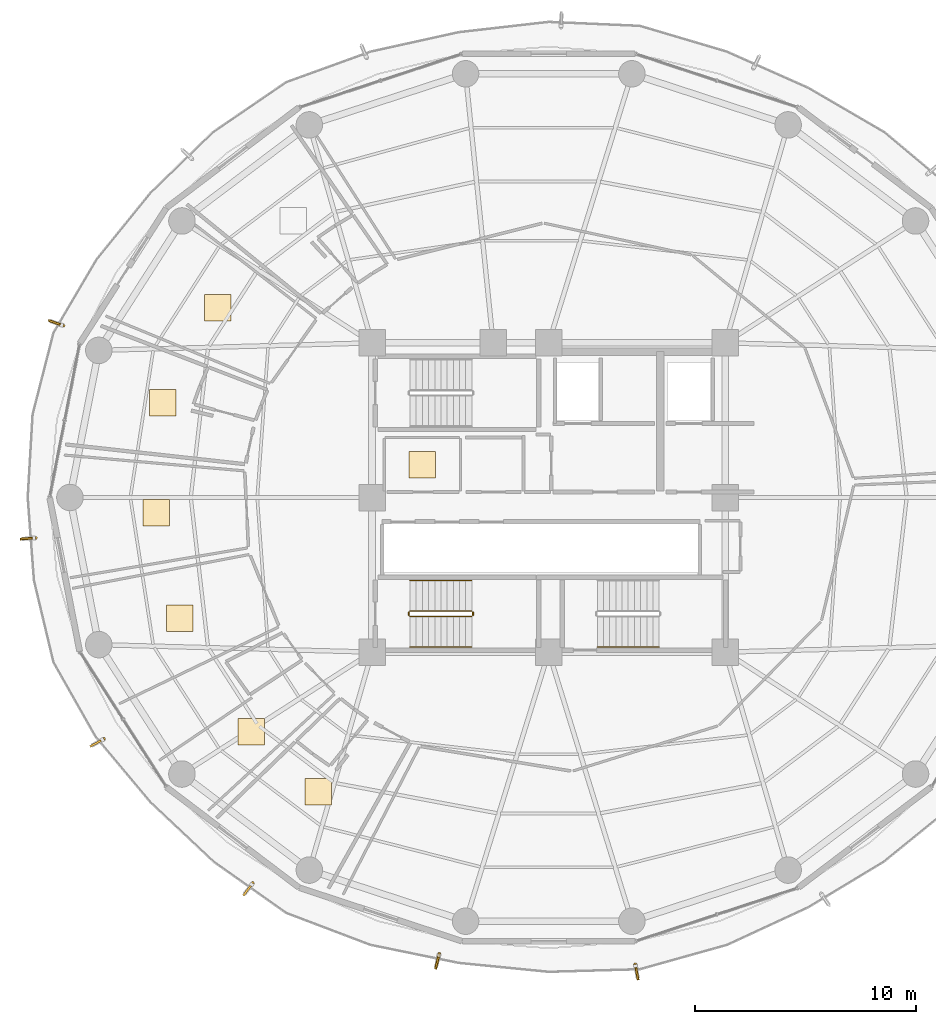
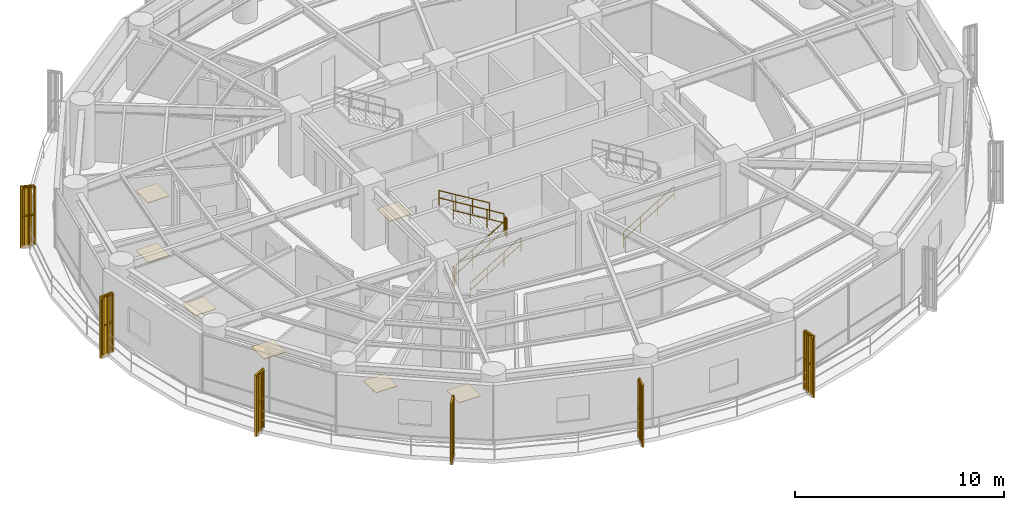
# One storey, part 25 of 27: 13 railings, 7 coverings, 6 shading devices.
"""IFC4 building model written with IfcOpenShell, lengths in metres."""

from ifc_helpers import new_model, si_unit, direction, frame, origin, origin_2d, place, context, subcontext, project, spatial, polyline, rectangle, outline, extrude, source, transform, mapped, material, layer, layer_set, type_object, element, save


model = new_model("IFC4")

# Units and contexts
model_context = context("Model", 3, precision=1e-05, world=origin(), true_north=direction((0.0, 1.0)))
body_context = subcontext(model_context, "Body", "Model", "MODEL_VIEW")
ifc_project = project(units=[si_unit("LENGTHUNIT", "METRE"), si_unit("AREAUNIT", "SQUARE_METRE"), si_unit("VOLUMEUNIT", "CUBIC_METRE"), si_unit("PLANEANGLEUNIT", "RADIAN"), si_unit("MASSUNIT", "GRAM", prefix="KILO")], contexts=[model_context])

# Site, building, storey
site_placement = place(None, origin())
site = spatial("IfcSite", under=ifc_project, at=site_placement, CompositionType="ELEMENT")
building_placement = place(site_placement, origin())
building = spatial("IfcBuilding", under=site, at=building_placement, Name="Kelanora Arch Commons", CompositionType="ELEMENT")
storey_placement = place(building_placement, frame((0.0, 0.0, 165.60009765625)))
storey = spatial("IfcBuildingStorey", under=building, at=storey_placement, Name="L42", CompositionType="ELEMENT", Elevation=165.60009765625)

# Railings
ifc_material_1 = material(Name="Anodised bronze vertical shading fin rib assembly")
railing_type_1 = type_object("IfcRailingType", Name="RAIL-FIN-BRZ", PredefinedType="BALUSTRADE", material=ifc_material_1)
railing_1_placement = place(storey_placement, frame((52.017578125, 65.783935546875, -0.02001953125)))
element("IfcRailing", 1, at=railing_1_placement, inside=storey, type_object=railing_type_1, Name="Sweeping Bronze Vertical Fin Blade L42-07", PredefinedType="BALUSTRADE", context=body_context, shape_type="SweptSolid", body=[
    extrude(outline(polyline([(0.06982421875, 0.0), (0.034912109375, 0.060546875), (-0.034912109375, 0.060546875), (-0.06982421875, 0.0), (-0.034912109375, -0.060546875), (0.034912109375, -0.060546875), (0.06982421875, 0.0)])), frame((0.0, 0.0, 3.419921875), z_axis=(-0.942683092033, 0.333689358527, 0.0), x_axis=(-0.333689358527, -0.942683092033, 0.0)), (0.0, 0.0, 1.0), 0.57275390625),
    extrude(outline(polyline([(0.06982421875, 0.0), (0.034912109375, 0.060546875), (-0.034912109375, 0.060546875), (-0.06982421875, 0.0), (-0.034912109375, -0.060546875), (0.034912109375, -0.060546875), (0.06982421875, 0.0)])), frame((0.0, 0.0, 1.7451171875), z_axis=(-0.942683092033, 0.333689358527, 0.0), x_axis=(-0.333689358527, -0.942683092033, 0.0)), (0.0, 0.0, 1.0), 0.57275390625),
    extrude(outline(polyline([(0.080078125, 0.0), (0.0400390625, 0.0693359375), (-0.0400390625, 0.0693359375), (-0.080078125, 0.0), (-0.0400390625, -0.0693359375), (0.0400390625, -0.0693359375), (0.080078125, 0.0)])), origin(), (0.0, 0.0, 1.0), 3.35009765625),
    extrude(outline(polyline([(0.080078125, 0.0), (0.0400390625, 0.0693359375), (-0.0400390625, 0.0693359375), (-0.080078125, 0.0), (-0.0400390625, -0.0693359375), (0.0400390625, -0.0693359375), (0.080078125, 0.0)])), frame((-0.27001953125, 0.095703125, 0.0)), (0.0, 0.0, 1.0), 3.35009765625),
    extrude(outline(polyline([(0.080078125, 0.0), (0.0400390625, 0.0693359375), (-0.0400390625, 0.0693359375), (-0.080078125, 0.0), (-0.0400390625, -0.0693359375), (0.0400390625, -0.0693359375), (0.080078125, 0.0)])), frame((-0.5400390625, 0.191162109375, 0.0)), (0.0, 0.0, 1.0), 3.35009765625),
])
railing_2_placement = place(storey_placement, frame((50.76806640625, 56.171142578125, -0.02001953125)))
element("IfcRailing", 2, at=railing_2_placement, inside=storey, type_object=railing_type_1, Name="Sweeping Bronze Vertical Fin Blade L42-08", PredefinedType="BALUSTRADE", context=body_context, shape_type="SweptSolid", body=[
    extrude(outline(polyline([(0.06982421875, 0.0), (0.034912109375, 0.060546875), (-0.034912109375, 0.060546875), (-0.06982421875, 0.0), (-0.034912109375, -0.060546875), (0.034912109375, -0.060546875), (0.06982421875, 0.0)])), frame((0.0, 0.0, 3.419921875), z_axis=(-0.996920109862, -0.078423813687, 0.0), x_axis=(0.078423813687, -0.996920109862, 0.0)), (0.0, 0.0, 1.0), 0.57275390625),
    extrude(outline(polyline([(0.06982421875, 0.0), (0.034912109375, 0.060546875), (-0.034912109375, 0.060546875), (-0.06982421875, 0.0), (-0.034912109375, -0.060546875), (0.034912109375, -0.060546875), (0.06982421875, 0.0)])), frame((0.0, 0.0, 1.7451171875), z_axis=(-0.996920109862, -0.078423813687, 0.0), x_axis=(0.078423813687, -0.996920109862, 0.0)), (0.0, 0.0, 1.0), 0.57275390625),
    extrude(outline(polyline([(0.080078125, 0.0), (0.0400390625, 0.0693359375), (-0.0400390625, 0.0693359375), (-0.080078125, 0.0), (-0.0400390625, -0.0693359375), (0.0400390625, -0.0693359375), (0.080078125, 0.0)])), origin(), (0.0, 0.0, 1.0), 3.35009765625),
    extrude(outline(polyline([(0.080078125, 0.0), (0.0400390625, 0.0693359375), (-0.0400390625, 0.0693359375), (-0.080078125, 0.0), (-0.0400390625, -0.0693359375), (0.0400390625, -0.0693359375), (0.080078125, 0.0)])), frame((-0.28564453125, -0.0224609375, 0.0)), (0.0, 0.0, 1.0), 3.35009765625),
    extrude(outline(polyline([(0.080078125, 0.0), (0.0400390625, 0.0693359375), (-0.0400390625, 0.0693359375), (-0.080078125, 0.0), (-0.0400390625, -0.0693359375), (0.0400390625, -0.0693359375), (0.080078125, 0.0)])), frame((-0.571044921875, -0.044921875, 0.0)), (0.0, 0.0, 1.0), 3.35009765625),
])
railing_3_placement = place(storey_placement, frame((53.857421875, 47.06298828125, -0.02001953125)))
element("IfcRailing", 3, at=railing_3_placement, inside=storey, type_object=railing_type_1, Name="Sweeping Bronze Vertical Fin Blade L42-09", PredefinedType="BALUSTRADE", context=body_context, shape_type="SweptSolid", body=[
    extrude(outline(polyline([(0.06982421875, 0.0), (0.034912109375, 0.060546875), (-0.034912109375, 0.060546875), (-0.06982421875, 0.0), (-0.034912109375, -0.060546875), (0.034912109375, -0.060546875), (0.06982421875, 0.0)])), frame((0.0, 0.0, 3.419921875), z_axis=(-0.878919805774, -0.47696957452, 0.0), x_axis=(0.47696957452, -0.878919805774, 0.0)), (0.0, 0.0, 1.0), 0.57275390625),
    extrude(outline(polyline([(0.06982421875, 0.0), (0.034912109375, 0.060546875), (-0.034912109375, 0.060546875), (-0.06982421875, 0.0), (-0.034912109375, -0.060546875), (0.034912109375, -0.060546875), (0.06982421875, 0.0)])), frame((0.0, 0.0, 1.7451171875), z_axis=(-0.878919805774, -0.47696957452, 0.0), x_axis=(0.47696957452, -0.878919805774, 0.0)), (0.0, 0.0, 1.0), 0.57275390625),
    extrude(outline(polyline([(0.080078125, 0.0), (0.0400390625, 0.0693359375), (-0.0400390625, 0.0693359375), (-0.080078125, 0.0), (-0.0400390625, -0.0693359375), (0.0400390625, -0.0693359375), (0.080078125, 0.0)])), origin(), (0.0, 0.0, 1.0), 3.35009765625),
    extrude(outline(polyline([(0.080078125, 0.0), (0.0400390625, 0.0693359375), (-0.0400390625, 0.0693359375), (-0.080078125, 0.0), (-0.0400390625, -0.0693359375), (0.0400390625, -0.0693359375), (0.080078125, 0.0)])), frame((-0.251708984375, -0.13671875, 0.0)), (0.0, 0.0, 1.0), 3.35009765625),
    extrude(outline(polyline([(0.080078125, 0.0), (0.0400390625, 0.0693359375), (-0.0400390625, 0.0693359375), (-0.080078125, 0.0), (-0.0400390625, -0.0693359375), (0.0400390625, -0.0693359375), (0.080078125, 0.0)])), frame((-0.50341796875, -0.273193359375, 0.0)), (0.0, 0.0, 1.0), 3.35009765625),
])
railing_4_placement = place(storey_placement, frame((60.5986328125, 40.5341796875, -0.02001953125)))
element("IfcRailing", 4, at=railing_4_placement, inside=storey, type_object=railing_type_1, Name="Sweeping Bronze Vertical Fin Blade L42-10", PredefinedType="BALUSTRADE", context=body_context, shape_type="SweptSolid", body=[
    extrude(outline(polyline([(0.06982421875, 0.0), (0.034912109375, 0.060546875), (-0.034912109375, 0.060546875), (-0.06982421875, 0.0), (-0.034912109375, -0.060546875), (0.034912109375, -0.060546875), (0.06982421875, 0.0)])), frame((0.0, 0.0, 3.419921875), z_axis=(-0.60876262984, -0.79335241886, 0.0), x_axis=(0.79335241886, -0.60876262984, 0.0)), (0.0, 0.0, 1.0), 0.57275390625),
    extrude(outline(polyline([(0.06982421875, 0.0), (0.034912109375, 0.060546875), (-0.034912109375, 0.060546875), (-0.06982421875, 0.0), (-0.034912109375, -0.060546875), (0.034912109375, -0.060546875), (0.06982421875, 0.0)])), frame((0.0, 0.0, 1.7451171875), z_axis=(-0.60876262984, -0.79335241886, 0.0), x_axis=(0.79335241886, -0.60876262984, 0.0)), (0.0, 0.0, 1.0), 0.57275390625),
    extrude(outline(polyline([(0.080078125, 0.0), (0.0400390625, 0.0693359375), (-0.0400390625, 0.0693359375), (-0.080078125, 0.0), (-0.0400390625, -0.0693359375), (0.0400390625, -0.0693359375), (0.080078125, 0.0)])), origin(), (0.0, 0.0, 1.0), 3.35009765625),
    extrude(outline(polyline([(0.080078125, 0.0), (0.0400390625, 0.0693359375), (-0.0400390625, 0.0693359375), (-0.080078125, 0.0), (-0.0400390625, -0.0693359375), (0.0400390625, -0.0693359375), (0.080078125, 0.0)])), frame((-0.17431640625, -0.22705078125, 0.0)), (0.0, 0.0, 1.0), 3.35009765625),
    extrude(outline(polyline([(0.080078125, 0.0), (0.0400390625, 0.0693359375), (-0.0400390625, 0.0693359375), (-0.080078125, 0.0), (-0.0400390625, -0.0693359375), (0.0400390625, -0.0693359375), (0.080078125, 0.0)])), frame((-0.3486328125, -0.454345703125, 0.0)), (0.0, 0.0, 1.0), 3.35009765625),
])
railing_5_placement = place(storey_placement, frame((69.039794921875, 37.337158203125, -0.02001953125)))
element("IfcRailing", 5, at=railing_5_placement, inside=storey, type_object=railing_type_1, Name="Sweeping Bronze Vertical Fin Blade L42-11", PredefinedType="BALUSTRADE", context=body_context, shape_type="SweptSolid", body=[
    extrude(outline(polyline([(0.06982421875, 0.0), (0.034912109375, 0.060546875), (-0.034912109375, 0.060546875), (-0.06982421875, 0.0), (-0.034912109375, -0.060546875), (0.034912109375, -0.060546875), (0.06982421875, 0.0)])), frame((0.0, 0.0, 3.419921875), z_axis=(-0.233501875784, -0.972356351347, 0.0), x_axis=(0.972356351347, -0.233501875784, 0.0)), (0.0, 0.0, 1.0), 0.572998046875),
    extrude(outline(polyline([(0.06982421875, 0.0), (0.034912109375, 0.060546875), (-0.034912109375, 0.060546875), (-0.06982421875, 0.0), (-0.034912109375, -0.060546875), (0.034912109375, -0.060546875), (0.06982421875, 0.0)])), frame((0.0, 0.0, 1.7451171875), z_axis=(-0.233501875784, -0.972356351347, 0.0), x_axis=(0.972356351347, -0.233501875784, 0.0)), (0.0, 0.0, 1.0), 0.572998046875),
    extrude(outline(polyline([(0.080078125, 0.0), (0.0400390625, 0.0693359375), (-0.0400390625, 0.0693359375), (-0.080078125, 0.0), (-0.0400390625, -0.0693359375), (0.0400390625, -0.0693359375), (0.080078125, 0.0)])), origin(), (0.0, 0.0, 1.0), 3.35009765625),
    extrude(outline(polyline([(0.080078125, 0.0), (0.0400390625, 0.0693359375), (-0.0400390625, 0.0693359375), (-0.080078125, 0.0), (-0.0400390625, -0.0693359375), (0.0400390625, -0.0693359375), (0.080078125, 0.0)])), frame((-0.06689453125, -0.278564453125, 0.0)), (0.0, 0.0, 1.0), 3.35009765625),
    extrude(outline(polyline([(0.080078125, 0.0), (0.0400390625, 0.0693359375), (-0.0400390625, 0.0693359375), (-0.080078125, 0.0), (-0.0400390625, -0.0693359375), (0.0400390625, -0.0693359375), (0.080078125, 0.0)])), frame((-0.1337890625, -0.55712890625, 0.0)), (0.0, 0.0, 1.0), 3.35009765625),
])
railing_6_placement = place(storey_placement, frame((77.919189453125, 36.856689453125, -0.02001953125)))
element("IfcRailing", 6, at=railing_6_placement, inside=storey, type_object=railing_type_1, Name="Sweeping Bronze Vertical Fin Blade L42-12", PredefinedType="BALUSTRADE", context=body_context, shape_type="SweptSolid", body=[
    extrude(outline(polyline([(0.06982421875, 0.0), (0.034912109375, 0.060546875), (-0.034912109375, 0.060546875), (-0.06982421875, 0.0), (-0.034912109375, -0.060546875), (0.034912109375, -0.060546875), (0.06982421875, 0.0)])), frame((0.0, 0.0, 3.419921875), z_axis=(0.181997683396, -0.983298959238, 0.0), x_axis=(0.983298959238, 0.181997683396, 0.0)), (0.0, 0.0, 1.0), 0.57275390625),
    extrude(outline(polyline([(0.06982421875, 0.0), (0.034912109375, 0.060546875), (-0.034912109375, 0.060546875), (-0.06982421875, 0.0), (-0.034912109375, -0.060546875), (0.034912109375, -0.060546875), (0.06982421875, 0.0)])), frame((0.0, 0.0, 1.7451171875), z_axis=(0.181997683396, -0.983298959238, 0.0), x_axis=(0.983298959238, 0.181997683396, 0.0)), (0.0, 0.0, 1.0), 0.57275390625),
    extrude(outline(polyline([(0.080078125, 0.0), (0.0400390625, 0.0693359375), (-0.0400390625, 0.0693359375), (-0.080078125, 0.0), (-0.0400390625, -0.0693359375), (0.0400390625, -0.0693359375), (0.080078125, 0.0)])), origin(), (0.0, 0.0, 1.0), 3.35009765625),
    extrude(outline(polyline([(0.080078125, 0.0), (0.0400390625, 0.0693359375), (-0.0400390625, 0.0693359375), (-0.080078125, 0.0), (-0.0400390625, -0.0693359375), (0.0400390625, -0.0693359375), (0.080078125, 0.0)])), frame((0.05224609375, -0.28173828125, 0.0)), (0.0, 0.0, 1.0), 3.35009765625),
    extrude(outline(polyline([(0.080078125, 0.0), (0.0400390625, 0.0693359375), (-0.0400390625, 0.0693359375), (-0.080078125, 0.0), (-0.0400390625, -0.0693359375), (0.0400390625, -0.0693359375), (0.080078125, 0.0)])), frame((0.104248046875, -0.563232421875, 0.0)), (0.0, 0.0, 1.0), 3.35009765625),
])
ifc_material_2 = material(Name="Painted steel stair well guard", Category="steel")
railing_type_2 = type_object("IfcRailingType", Name="RAIL-STAIR-GRD", PredefinedType="GUARDRAIL", material=ifc_material_2)
railing_7_placement = place(storey_placement, frame((67.719970703125, 52.610107421875, 0.17041015625)))
element("IfcRailing", 7, at=railing_7_placement, inside=storey, type_object=railing_type_2, Name="L42 ST-T3 stair guard 1", PredefinedType="GUARDRAIL", context=body_context, shape_type="SweptSolid", body=[
    extrude(outline(polyline([(0.02392578125, 0.0), (0.011962890625, 0.020751953125), (-0.011962890625, 0.020751953125), (-0.02392578125, 0.0), (-0.011962890625, -0.020751953125), (0.011962890625, -0.020751953125), (0.02392578125, 0.0)])), frame((0.0, 0.0, 1.076171875), z_axis=(0.854169791009, 0.0, 0.51999420009), x_axis=(0.0, 1.0, 0.0)), (0.0, 0.0, 1.0), 3.278076171875),
    extrude(outline(polyline([(0.02392578125, 0.0), (0.011962890625, 0.020751953125), (-0.011962890625, 0.020751953125), (-0.02392578125, 0.0), (-0.011962890625, -0.020751953125), (0.011962890625, -0.020751953125), (0.02392578125, 0.0)])), frame((0.0, 0.0, 0.550048828125), z_axis=(0.854169791009, 0.0, 0.51999420009), x_axis=(0.0, 1.0, 0.0)), (0.0, 0.0, 1.0), 3.278076171875),
    extrude(outline(polyline([(0.02099609375, 0.0), (0.010498046875, 0.01806640625), (-0.010498046875, 0.01806640625), (-0.02099609375, 0.0), (-0.010498046875, -0.01806640625), (0.010498046875, -0.01806640625), (0.02099609375, 0.0)])), origin(), (0.0, 0.0, 1.0), 1.052001953125),
    extrude(outline(polyline([(0.02099609375, 0.0), (0.010498046875, 0.01806640625), (-0.010498046875, 0.01806640625), (-0.02099609375, 0.0), (-0.010498046875, -0.01806640625), (0.010498046875, -0.01806640625), (0.02099609375, 0.0)])), frame((0.933349609375, 0.0, 0.568115234375)), (0.0, 0.0, 1.0), 1.052001953125),
    extrude(outline(polyline([(0.02099609375, 0.0), (0.010498046875, 0.01806640625), (-0.010498046875, 0.01806640625), (-0.02099609375, 0.0), (-0.010498046875, -0.01806640625), (0.010498046875, -0.01806640625), (0.02099609375, 0.0)])), frame((1.86669921875, 0.0, 1.136474609375)), (0.0, 0.0, 1.0), 1.052001953125),
    extrude(outline(polyline([(0.02099609375, 0.0), (0.010498046875, 0.01806640625), (-0.010498046875, 0.01806640625), (-0.02099609375, 0.0), (-0.010498046875, -0.01806640625), (0.010498046875, -0.01806640625), (0.02099609375, 0.0)])), frame((2.800048828125, 0.0, 1.70458984375)), (0.0, 0.0, 1.0), 1.052001953125),
])
railing_8_placement = place(storey_placement, frame((70.570068359375, 52.659912109375, 1.875)))
element("IfcRailing", 8, at=railing_8_placement, inside=storey, type_object=railing_type_2, Name="L42 ST-T3 stair guard 2", PredefinedType="GUARDRAIL", context=body_context, shape_type="SweptSolid", body=[
    extrude(outline(polyline([(0.02392578125, 0.0), (0.011962890625, 0.020751953125), (-0.011962890625, 0.020751953125), (-0.02392578125, 0.0), (-0.011962890625, -0.020751953125), (0.011962890625, -0.020751953125), (0.02392578125, 0.0)])), frame((0.0, 0.0, 1.076171875), z_axis=(0.0, 1.0, 0.0), x_axis=(-1.0, 0.0, 0.0)), (0.0, 0.0, 1.0), 0.150146484375),
    extrude(outline(polyline([(0.02392578125, 0.0), (0.011962890625, 0.020751953125), (-0.011962890625, 0.020751953125), (-0.02392578125, 0.0), (-0.011962890625, -0.020751953125), (0.011962890625, -0.020751953125), (0.02392578125, 0.0)])), frame((0.0, 0.0, 0.550048828125), z_axis=(0.0, 1.0, 0.0), x_axis=(-1.0, 0.0, 0.0)), (0.0, 0.0, 1.0), 0.150146484375),
    extrude(outline(polyline([(0.02099609375, 0.0), (0.010498046875, 0.01806640625), (-0.010498046875, 0.01806640625), (-0.02099609375, 0.0), (-0.010498046875, -0.01806640625), (0.010498046875, -0.01806640625), (0.02099609375, 0.0)])), origin(), (0.0, 0.0, 1.0), 1.052001953125),
    extrude(outline(polyline([(0.02099609375, 0.0), (0.010498046875, 0.01806640625), (-0.010498046875, 0.01806640625), (-0.02099609375, 0.0), (-0.010498046875, -0.01806640625), (0.010498046875, -0.01806640625), (0.02099609375, 0.0)])), frame((0.0, 0.150146484375, 0.0)), (0.0, 0.0, 1.0), 1.052001953125),
])
railing_9_placement = place(storey_placement, frame((70.52001953125, 52.860107421875, 2.04541015625)))
element("IfcRailing", 9, at=railing_9_placement, inside=storey, type_object=railing_type_2, Name="L42 ST-T3 stair guard 3", PredefinedType="GUARDRAIL", context=body_context, shape_type="SweptSolid", body=[
    extrude(outline(polyline([(0.02392578125, 0.0), (0.011962890625, 0.020751953125), (-0.011962890625, 0.020751953125), (-0.02392578125, 0.0), (-0.011962890625, -0.020751953125), (0.011962890625, -0.020751953125), (0.02392578125, 0.0)])), frame((0.0, 0.0, 1.076171875), z_axis=(-0.854169791009, 0.0, 0.51999420009), x_axis=(0.0, -1.0, 0.0)), (0.0, 0.0, 1.0), 3.278076171875),
    extrude(outline(polyline([(0.02392578125, 0.0), (0.011962890625, 0.020751953125), (-0.011962890625, 0.020751953125), (-0.02392578125, 0.0), (-0.011962890625, -0.020751953125), (0.011962890625, -0.020751953125), (0.02392578125, 0.0)])), frame((0.0, 0.0, 0.550048828125), z_axis=(-0.854169791009, 0.0, 0.51999420009), x_axis=(0.0, -1.0, 0.0)), (0.0, 0.0, 1.0), 3.278076171875),
    extrude(outline(polyline([(0.02099609375, 0.0), (0.010498046875, 0.01806640625), (-0.010498046875, 0.01806640625), (-0.02099609375, 0.0), (-0.010498046875, -0.01806640625), (0.010498046875, -0.01806640625), (0.02099609375, 0.0)])), origin(), (0.0, 0.0, 1.0), 1.052001953125),
    extrude(outline(polyline([(0.02099609375, 0.0), (0.010498046875, 0.01806640625), (-0.010498046875, 0.01806640625), (-0.02099609375, 0.0), (-0.010498046875, -0.01806640625), (0.010498046875, -0.01806640625), (0.02099609375, 0.0)])), frame((-0.933349609375, 0.0, 0.568115234375)), (0.0, 0.0, 1.0), 1.052001953125),
    extrude(outline(polyline([(0.02099609375, 0.0), (0.010498046875, 0.01806640625), (-0.010498046875, 0.01806640625), (-0.02099609375, 0.0), (-0.010498046875, -0.01806640625), (0.010498046875, -0.01806640625), (0.02099609375, 0.0)])), frame((-1.86669921875, 0.0, 1.136474609375)), (0.0, 0.0, 1.0), 1.052001953125),
    extrude(outline(polyline([(0.02099609375, 0.0), (0.010498046875, 0.01806640625), (-0.010498046875, 0.01806640625), (-0.02099609375, 0.0), (-0.010498046875, -0.01806640625), (0.010498046875, -0.01806640625), (0.02099609375, 0.0)])), frame((-2.800048828125, 0.0, 1.70458984375)), (0.0, 0.0, 1.0), 1.052001953125),
])
railing_10_placement = place(storey_placement, frame((67.669921875, 52.659912109375, 0.0)))
element("IfcRailing", 10, at=railing_10_placement, inside=storey, type_object=railing_type_2, Name="L42 ST-T3 stair guard 4", PredefinedType="GUARDRAIL", context=body_context, shape_type="SweptSolid", body=[
    extrude(outline(polyline([(0.02392578125, 0.0), (0.011962890625, 0.020751953125), (-0.011962890625, 0.020751953125), (-0.02392578125, 0.0), (-0.011962890625, -0.020751953125), (0.011962890625, -0.020751953125), (0.02392578125, 0.0)])), frame((0.0, 0.0, 1.076171875), z_axis=(0.0, 1.0, 0.0), x_axis=(-1.0, 0.0, 0.0)), (0.0, 0.0, 1.0), 0.150146484375),
    extrude(outline(polyline([(0.02392578125, 0.0), (0.011962890625, 0.020751953125), (-0.011962890625, 0.020751953125), (-0.02392578125, 0.0), (-0.011962890625, -0.020751953125), (0.011962890625, -0.020751953125), (0.02392578125, 0.0)])), frame((0.0, 0.0, 0.550048828125), z_axis=(0.0, 1.0, 0.0), x_axis=(-1.0, 0.0, 0.0)), (0.0, 0.0, 1.0), 0.150146484375),
    extrude(outline(polyline([(0.02099609375, 0.0), (0.010498046875, 0.01806640625), (-0.010498046875, 0.01806640625), (-0.02099609375, 0.0), (-0.010498046875, -0.01806640625), (0.010498046875, -0.01806640625), (0.02099609375, 0.0)])), origin(), (0.0, 0.0, 1.0), 1.052001953125),
    extrude(outline(polyline([(0.02099609375, 0.0), (0.010498046875, 0.01806640625), (-0.010498046875, 0.01806640625), (-0.02099609375, 0.0), (-0.010498046875, -0.01806640625), (0.010498046875, -0.01806640625), (0.02099609375, 0.0)])), frame((0.0, 0.150146484375, 0.0)), (0.0, 0.0, 1.0), 1.052001953125),
])
ifc_material_3 = material(Name="Brushed stainless steel stair handrail", Category="steel")
railing_type_3 = type_object("IfcRailingType", Name="RAIL-STAIR-HND", PredefinedType="HANDRAIL", material=ifc_material_3)
railing_11_placement = place(storey_placement, frame((76.199951171875, 51.22998046875, 0.17041015625)))
element("IfcRailing", 11, at=railing_11_placement, inside=storey, type_object=railing_type_3, Name="L42 ST-T2 stair handrail 1", PredefinedType="HANDRAIL", context=body_context, shape_type="SweptSolid", body=[
    extrude(outline(polyline([(0.02392578125, 0.0), (0.011962890625, 0.020751953125), (-0.011962890625, 0.020751953125), (-0.02392578125, 0.0), (-0.011962890625, -0.020751953125), (0.011962890625, -0.020751953125), (0.02392578125, 0.0)])), frame((0.0, 0.0, 0.8759765625), z_axis=(0.854169791009, 0.0, 0.51999420009), x_axis=(0.0, 1.0, 0.0)), (0.0, 0.0, 1.0), 3.278076171875),
    extrude(outline(polyline([(0.02392578125, 0.0), (0.011962890625, 0.020751953125), (-0.011962890625, 0.020751953125), (-0.02392578125, 0.0), (-0.011962890625, -0.020751953125), (0.011962890625, -0.020751953125), (0.02392578125, 0.0)])), frame((0.0, 0.0, 0.449951171875), z_axis=(0.854169791009, 0.0, 0.51999420009), x_axis=(0.0, 1.0, 0.0)), (0.0, 0.0, 1.0), 3.278076171875),
    extrude(outline(polyline([(0.02099609375, 0.0), (0.010498046875, 0.01806640625), (-0.010498046875, 0.01806640625), (-0.02099609375, 0.0), (-0.010498046875, -0.01806640625), (0.010498046875, -0.01806640625), (0.02099609375, 0.0)])), origin(), (0.0, 0.0, 1.0), 0.851806640625),
    extrude(outline(polyline([(0.02099609375, 0.0), (0.010498046875, 0.01806640625), (-0.010498046875, 0.01806640625), (-0.02099609375, 0.0), (-0.010498046875, -0.01806640625), (0.010498046875, -0.01806640625), (0.02099609375, 0.0)])), frame((0.933349609375, 0.0, 0.568115234375)), (0.0, 0.0, 1.0), 0.851806640625),
    extrude(outline(polyline([(0.02099609375, 0.0), (0.010498046875, 0.01806640625), (-0.010498046875, 0.01806640625), (-0.02099609375, 0.0), (-0.010498046875, -0.01806640625), (0.010498046875, -0.01806640625), (0.02099609375, 0.0)])), frame((1.86669921875, 0.0, 1.136474609375)), (0.0, 0.0, 1.0), 0.851806640625),
    extrude(outline(polyline([(0.02099609375, 0.0), (0.010498046875, 0.01806640625), (-0.010498046875, 0.01806640625), (-0.02099609375, 0.0), (-0.010498046875, -0.01806640625), (0.010498046875, -0.01806640625), (0.02099609375, 0.0)])), frame((2.800048828125, 0.0, 1.70458984375)), (0.0, 0.0, 1.0), 0.851806640625),
])
railing_12_placement = place(storey_placement, frame((67.719970703125, 51.22998046875, 0.17041015625)))
element("IfcRailing", 12, at=railing_12_placement, inside=storey, type_object=railing_type_3, Name="L42 ST-T3 stair handrail 1", PredefinedType="HANDRAIL", context=body_context, shape_type="SweptSolid", body=[
    extrude(outline(polyline([(0.02392578125, 0.0), (0.011962890625, 0.020751953125), (-0.011962890625, 0.020751953125), (-0.02392578125, 0.0), (-0.011962890625, -0.020751953125), (0.011962890625, -0.020751953125), (0.02392578125, 0.0)])), frame((0.0, 0.0, 0.8759765625), z_axis=(0.854169791009, 0.0, 0.51999420009), x_axis=(0.0, 1.0, 0.0)), (0.0, 0.0, 1.0), 3.278076171875),
    extrude(outline(polyline([(0.02392578125, 0.0), (0.011962890625, 0.020751953125), (-0.011962890625, 0.020751953125), (-0.02392578125, 0.0), (-0.011962890625, -0.020751953125), (0.011962890625, -0.020751953125), (0.02392578125, 0.0)])), frame((0.0, 0.0, 0.449951171875), z_axis=(0.854169791009, 0.0, 0.51999420009), x_axis=(0.0, 1.0, 0.0)), (0.0, 0.0, 1.0), 3.278076171875),
    extrude(outline(polyline([(0.02099609375, 0.0), (0.010498046875, 0.01806640625), (-0.010498046875, 0.01806640625), (-0.02099609375, 0.0), (-0.010498046875, -0.01806640625), (0.010498046875, -0.01806640625), (0.02099609375, 0.0)])), origin(), (0.0, 0.0, 1.0), 0.851806640625),
    extrude(outline(polyline([(0.02099609375, 0.0), (0.010498046875, 0.01806640625), (-0.010498046875, 0.01806640625), (-0.02099609375, 0.0), (-0.010498046875, -0.01806640625), (0.010498046875, -0.01806640625), (0.02099609375, 0.0)])), frame((0.933349609375, 0.0, 0.568115234375)), (0.0, 0.0, 1.0), 0.851806640625),
    extrude(outline(polyline([(0.02099609375, 0.0), (0.010498046875, 0.01806640625), (-0.010498046875, 0.01806640625), (-0.02099609375, 0.0), (-0.010498046875, -0.01806640625), (0.010498046875, -0.01806640625), (0.02099609375, 0.0)])), frame((1.86669921875, 0.0, 1.136474609375)), (0.0, 0.0, 1.0), 0.851806640625),
    extrude(outline(polyline([(0.02099609375, 0.0), (0.010498046875, 0.01806640625), (-0.010498046875, 0.01806640625), (-0.02099609375, 0.0), (-0.010498046875, -0.01806640625), (0.010498046875, -0.01806640625), (0.02099609375, 0.0)])), frame((2.800048828125, 0.0, 1.70458984375)), (0.0, 0.0, 1.0), 0.851806640625),
])
railing_13_placement = place(storey_placement, frame((70.52001953125, 54.239990234375, 2.04541015625)))
element("IfcRailing", 13, at=railing_13_placement, inside=storey, type_object=railing_type_3, Name="L42 ST-T3 stair handrail 2", PredefinedType="HANDRAIL", context=body_context, shape_type="SweptSolid", body=[
    extrude(outline(polyline([(0.02392578125, 0.0), (0.011962890625, 0.020751953125), (-0.011962890625, 0.020751953125), (-0.02392578125, 0.0), (-0.011962890625, -0.020751953125), (0.011962890625, -0.020751953125), (0.02392578125, 0.0)])), frame((0.0, 0.0, 0.8759765625), z_axis=(-0.854169791009, 0.0, 0.51999420009), x_axis=(0.0, -1.0, 0.0)), (0.0, 0.0, 1.0), 3.278076171875),
    extrude(outline(polyline([(0.02392578125, 0.0), (0.011962890625, 0.020751953125), (-0.011962890625, 0.020751953125), (-0.02392578125, 0.0), (-0.011962890625, -0.020751953125), (0.011962890625, -0.020751953125), (0.02392578125, 0.0)])), frame((0.0, 0.0, 0.449951171875), z_axis=(-0.854169791009, 0.0, 0.51999420009), x_axis=(0.0, -1.0, 0.0)), (0.0, 0.0, 1.0), 3.278076171875),
    extrude(outline(polyline([(0.02099609375, 0.0), (0.010498046875, 0.01806640625), (-0.010498046875, 0.01806640625), (-0.02099609375, 0.0), (-0.010498046875, -0.01806640625), (0.010498046875, -0.01806640625), (0.02099609375, 0.0)])), origin(), (0.0, 0.0, 1.0), 0.851806640625),
    extrude(outline(polyline([(0.02099609375, 0.0), (0.010498046875, 0.01806640625), (-0.010498046875, 0.01806640625), (-0.02099609375, 0.0), (-0.010498046875, -0.01806640625), (0.010498046875, -0.01806640625), (0.02099609375, 0.0)])), frame((-0.933349609375, 0.0, 0.568115234375)), (0.0, 0.0, 1.0), 0.851806640625),
    extrude(outline(polyline([(0.02099609375, 0.0), (0.010498046875, 0.01806640625), (-0.010498046875, 0.01806640625), (-0.02099609375, 0.0), (-0.010498046875, -0.01806640625), (0.010498046875, -0.01806640625), (0.02099609375, 0.0)])), frame((-1.86669921875, 0.0, 1.136474609375)), (0.0, 0.0, 1.0), 0.851806640625),
    extrude(outline(polyline([(0.02099609375, 0.0), (0.010498046875, 0.01806640625), (-0.010498046875, 0.01806640625), (-0.02099609375, 0.0), (-0.010498046875, -0.01806640625), (0.010498046875, -0.01806640625), (0.02099609375, 0.0)])), frame((-2.800048828125, 0.0, 1.70458984375)), (0.0, 0.0, 1.0), 0.851806640625),
])

# Shading devices
ifc_material_4 = material(Name="Terracotta ceramic-clad extruded aluminium fin", Category="masonry")
shading_device_type = type_object("IfcShadingDeviceType", Name="SHD-FIN-WAIST", PredefinedType="USERDEFINED", material=ifc_material_4)
shared_shape_1 = source(origin(), body_context, "Body", "SweptSolid", [
    extrude(rectangle(XDim=0.56005859375, YDim=0.090087890625, at=origin_2d()), origin(), (0.0, 0.0, 1.0), 3.610107421875),
])
for number, where, z_axis, x_axis, name in (
    (14, (51.615478515625, 65.92626953125, -0.14013671875), (0.0, 0.0, 1.0), (-0.942641491092, 0.333806859234, 0.0), "Sweeping Terracotta Fin L42-07"),
    (15, (50.343017578125, 56.1376953125, -0.14013671875), (0.0, 0.0, 1.0), (-0.996917333733, -0.078459095728, 0.0), "Sweeping Terracotta Fin L42-08"),
    (16, (53.482666015625, 46.859619140625, -0.14013671875), (0.0, 0.0, 1.0), (-0.878817112662, -0.47715876026, 0.0), "Sweeping Terracotta Fin L42-09"),
    (17, (60.339111328125, 40.196044921875, -0.14013671875), (0.0, 0.0, 1.0), (-0.608761429009, -0.793353340291, 0.0), "Sweeping Terracotta Fin L42-10"),
    (18, (68.940185546875, 36.922607421875, -0.14013671875), (0.0, 0.0, 1.0), (-0.233445363856, -0.972369920398, 0.0), "Sweeping Terracotta Fin L42-11"),
    (19, (77.996826171875, 36.437255859375, -0.14013671875), (0.0, 0.0, 1.0), (0.182235525492, -0.983254907564, 0.0), "Sweeping Terracotta Fin L42-12"),
):
    element("IfcShadingDevice", number, at=place(storey_placement, frame(where, z_axis=z_axis, x_axis=x_axis)), inside=storey, type_object=shading_device_type, Name=name, ObjectType="FIN", PredefinedType="USERDEFINED", context=body_context, shape_type="MappedRepresentation", body=[
        mapped(shared_shape_1, transform((0.0, 0.0, 0.0), scale=1.0)),
    ])

# Coverings
ifc_material_5 = material(Name="Polished local granite terrazzo flooring", Category="masonry")
ifc_layer = layer(ifc_material_5, 0.030029296875)
ifc_layer_set = layer_set([ifc_layer], Name="Polished local granite terrazzo flooring")
covering_type = type_object("IfcCoveringType", Name="COV-FLR-TER", PredefinedType="FLOORING", material=ifc_layer_set)
shared_shape_2 = source(origin(), body_context, "Body", "SweptSolid", [
    extrude(rectangle(XDim=1.199951171875, YDim=1.199951171875, at=origin_2d()), origin(), (0.0, 0.0, 1.0), 0.030029296875),
])
for number, where, z_axis, x_axis, name in (
    (20, (68.27490234375, 59.485107421875, 0.0), (0.0, 0.0, 1.0), (1.0, 0.0, 0.0), "Reclaimed Core Quiet Phone Booths L42 Terrazzo Finish"),
    (21, (59.010986328125, 66.601318359375, 0.0), (0.0, 0.0, 1.0), (1.0, 0.0, 0.0), "Shared Cluster Kitchen L42-02 Terrazzo Finish"),
    (22, (56.527099609375, 62.281005859375, 0.0), (0.0, 0.0, 1.0), (1.0, 0.0, 0.0), "Cluster Bedroom L42-03 Terrazzo Finish"),
    (23, (56.2392578125, 57.302490234375, 0.0), (0.0, 0.0, 1.0), (1.0, 0.0, 0.0), "Quiet Seminar Study Room L42-04 Terrazzo Finish"),
    (24, (57.295654296875, 52.525390625, 0.0), (0.0, 0.0, 1.0), (1.0, 0.0, 0.0), "Social Sky Lounge L42-05 Terrazzo Finish"),
    (25, (60.534423828125, 47.384521484375, 0.0), (0.0, 0.0, 1.0), (1.0, 0.0, 0.0), "Tutorial Study Alcove L42-06 Terrazzo Finish"),
    (26, (63.568115234375, 44.680908203125, 0.0), (0.0, 0.0, 1.0), (1.0, 0.0, 0.0), "Cluster Bedroom L42-07 Terrazzo Finish"),
):
    element("IfcCovering", number, at=place(storey_placement, frame(where, z_axis=z_axis, x_axis=x_axis)), inside=storey, type_object=covering_type, Name=name, PredefinedType="FLOORING", context=body_context, shape_type="MappedRepresentation", body=[
        mapped(shared_shape_2, transform((0.0, 0.0, 0.0), scale=1.0)),
    ])

save(model, "model.ifc")
